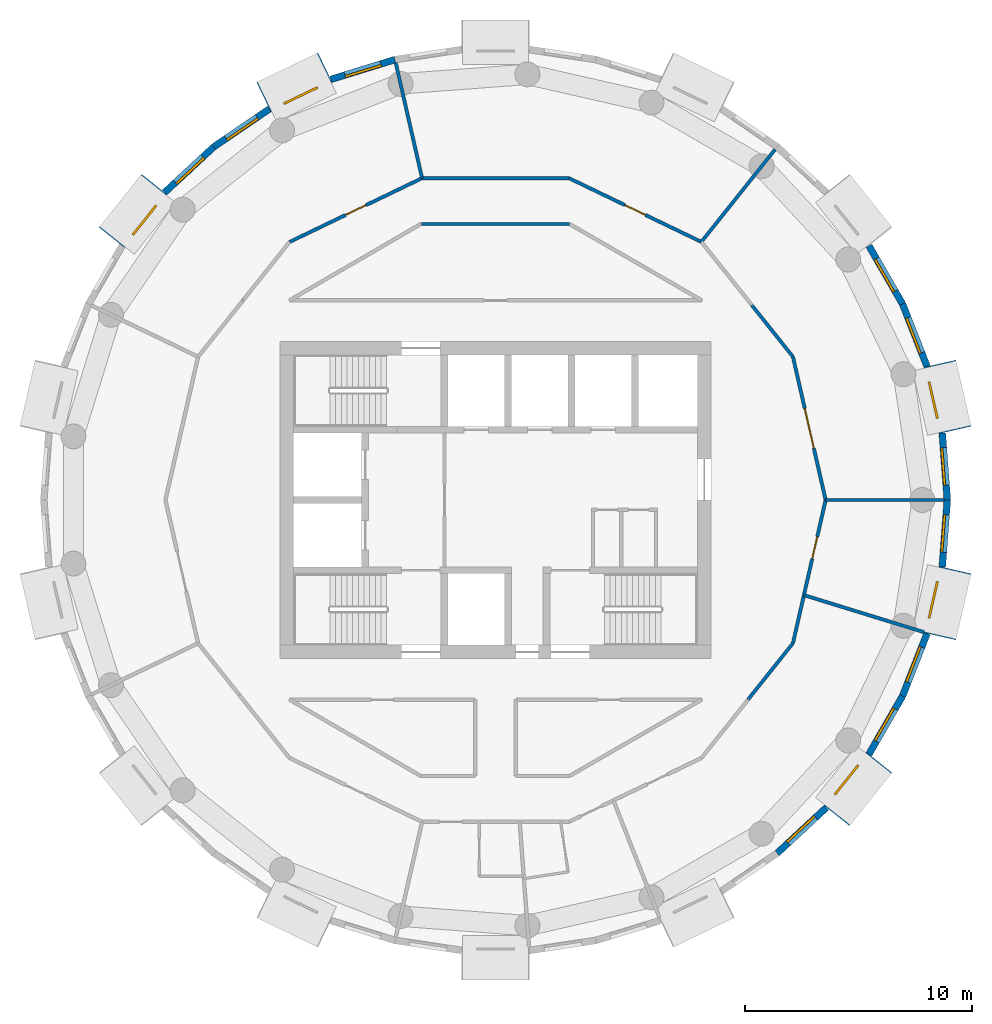
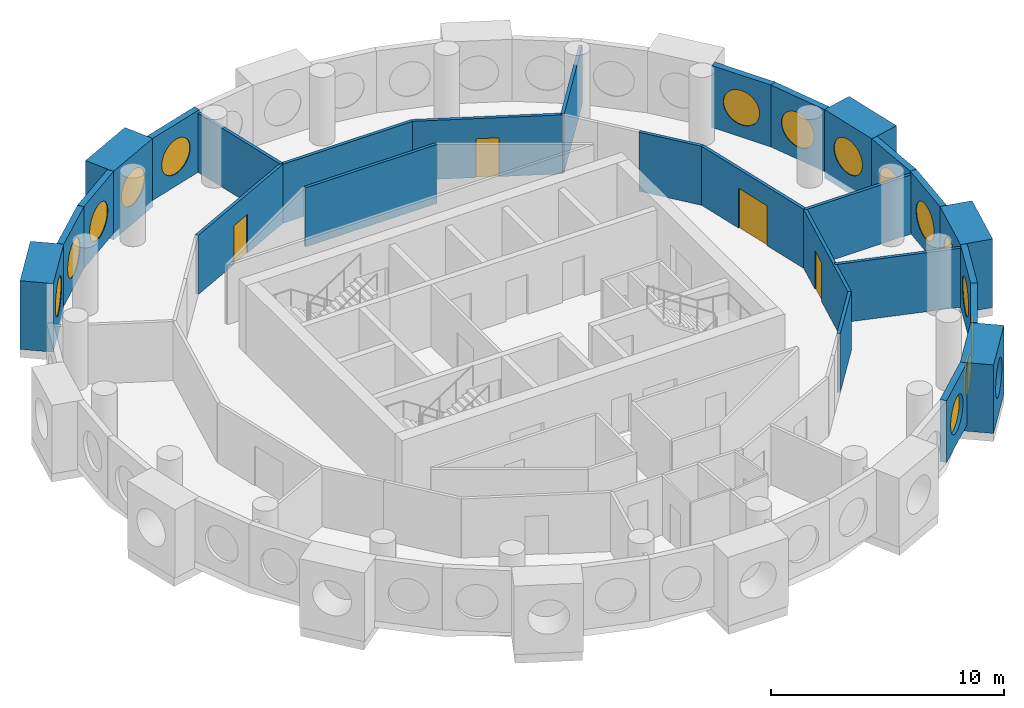
# One storey, part 10 of 13: 27 walls, 15 windows, 4 doors, 19 openings.
"""IFC4 building model written with IfcOpenShell, lengths in metres."""

from ifc_helpers import new_model, si_unit, direction, frame, frame_2d, origin, origin_2d, place, context, subcontext, project, spatial, rectangle, circle, extrude, material, layer, layer_set, type_object, element, fill, save


model = new_model("IFC4")

# Units and contexts
model_context = context("Model", 3, precision=1e-05, world=origin(), true_north=direction((0.0, 1.0)))
body_context = subcontext(model_context, "Body", "Model", "MODEL_VIEW")
ifc_project = project(units=[si_unit("LENGTHUNIT", "METRE"), si_unit("AREAUNIT", "SQUARE_METRE"), si_unit("VOLUMEUNIT", "CUBIC_METRE"), si_unit("PLANEANGLEUNIT", "RADIAN"), si_unit("MASSUNIT", "GRAM", prefix="KILO")], contexts=[model_context])

# Site, building, storey
site_placement = place(None, origin())
site = spatial("IfcSite", under=ifc_project, at=site_placement, CompositionType="ELEMENT")
building_placement = place(site_placement, origin())
building = spatial("IfcBuilding", under=site, at=building_placement, Name="Tracery Tower", CompositionType="ELEMENT")
storey_placement = place(building_placement, frame((0.0, 0.0, 270.60009765625)))
storey = spatial("IfcBuildingStorey", under=building, at=storey_placement, Name="L70", CompositionType="ELEMENT", Elevation=270.60009765625)

# Wall, opening, window
ifc_material_1 = material(Name="Precast concrete C50/60", Category="concrete")
ifc_layer_1 = layer(ifc_material_1, 1.449951171875)
ifc_layer_set_1 = layer_set([ifc_layer_1], Name="Deep-set bay unit 3000 x 3600, slab edge 350")
wall_type_1 = type_object("IfcWallType", Name="Deep-set bay unit 3000 x 3600, slab edge 350", PredefinedType="ELEMENTEDWALL", material=ifc_layer_set_1)
wall_1_placement = place(storey_placement, frame((20.262451171875, 3.086181640625, -0.35009765625), z_axis=(0.0, 0.0, 1.0), x_axis=(-0.222570682856, 0.974916555985, 0.0)))
wall_1 = element("IfcWall", 1, at=wall_1_placement, inside=storey, type_object=wall_type_1, Name="Deep-set bay unit 2 at L70", PredefinedType="ELEMENTEDWALL", context=body_context, shape_type="SweptSolid", body=[
    extrude(rectangle(XDim=3.0, YDim=1.449951171875, at=frame_2d((1.5, 0.0))), origin(), (0.0, 0.0, 1.0), 3.60009765625),
])
opening_1_placement = place(wall_1_placement, frame((1.5, 0.0, 1.89990234375)))
opening_1 = element("IfcOpeningElement", 2, at=opening_1_placement, cuts=wall_1, Name="Opening WN1", PredefinedType="OPENING", context=body_context, shape_type="SweptSolid", body=[
    extrude(circle(Radius=0.9000244140625, at=origin_2d()), frame((0.0, 0.73486328125, 0.0), z_axis=(0.0, -1.0, 0.0), x_axis=(1.0, 0.0, 0.0)), (0.0, 0.0, 1.0), 1.469970703125),
])
ifc_material_2 = material(Name="Aluminium frame with tinted double glazing", Category="aluminium")
window_type = type_object("IfcWindowType", Name="Round window 1800", PartitioningType="SINGLE_PANEL", PredefinedType="WINDOW", material=ifc_material_2)
window_1_placement = place(opening_1_placement, origin())
window_1 = element("IfcWindow", 3, at=window_1_placement, inside=storey, type_object=window_type, Name="Round window 2 at L70", OverallHeight=1.800048828125, OverallWidth=1.800048828125, PartitioningType="SINGLE_PANEL", PredefinedType="WINDOW", context=body_context, shape_type="SweptSolid", body=[
    extrude(circle(Radius=0.9000244140625, at=origin_2d()), frame((0.0, 0.69482421875, 0.0), z_axis=(0.0, -1.0, 0.0), x_axis=(1.0, 0.0, 0.0)), (0.0, 0.0, 1.0), 0.10009765625),
])
fill(opening_1, window_1)

wall_2_placement = place(storey_placement, frame((-7.517578125, 19.067626953125, -0.35009765625), z_axis=(0.0, 0.0, 1.0), x_axis=(-0.900953362039, -0.433915935904, 0.0)))
wall_2 = element("IfcWall", 4, at=wall_2_placement, inside=storey, type_object=wall_type_1, Name="Deep-set bay unit 14 at L70", PredefinedType="ELEMENTEDWALL", context=body_context, shape_type="SweptSolid", body=[
    extrude(rectangle(XDim=3.0, YDim=1.449951171875, at=frame_2d((1.5, 0.0))), origin(), (0.0, 0.0, 1.0), 3.60009765625),
])
opening_2_placement = place(wall_2_placement, frame((1.5, 0.0, 1.89990234375)))
opening_2 = element("IfcOpeningElement", 5, at=opening_2_placement, cuts=wall_2, Name="Opening WN1", PredefinedType="OPENING", context=body_context, shape_type="SweptSolid", body=[
    extrude(circle(Radius=0.9000244140625, at=origin_2d()), frame((0.0, 0.73486328125, 0.0), z_axis=(0.0, -1.0, 0.0), x_axis=(1.0, 0.0, 0.0)), (0.0, 0.0, 1.0), 1.469970703125),
])
window_2_placement = place(opening_2_placement, origin())
window_2 = element("IfcWindow", 6, at=window_2_placement, inside=storey, type_object=window_type, Name="Round window 14 at L70", OverallHeight=1.800048828125, OverallWidth=1.800048828125, PartitioningType="SINGLE_PANEL", PredefinedType="WINDOW", context=body_context, shape_type="SweptSolid", body=[
    extrude(circle(Radius=0.9000244140625, at=origin_2d()), frame((0.0, 0.69482421875, 0.0), z_axis=(0.0, -1.0, 0.0), x_axis=(1.0, 0.0, 0.0)), (0.0, 0.0, 1.0), 0.10009765625),
])
fill(opening_2, window_2)

wall_3_placement = place(storey_placement, frame((-15.046142578125, 13.91748046875, -0.35009765625), z_axis=(0.0, 0.0, 1.0), x_axis=(-0.623523286312, -0.781804778335, 0.0)))
wall_3 = element("IfcWall", 7, at=wall_3_placement, inside=storey, type_object=wall_type_1, Name="Deep-set bay unit 17 at L70", PredefinedType="ELEMENTEDWALL", context=body_context, shape_type="SweptSolid", body=[
    extrude(rectangle(XDim=3.0, YDim=1.449951171875, at=frame_2d((1.5, 0.0))), origin(), (0.0, 0.0, 1.0), 3.60009765625),
])
opening_3_placement = place(wall_3_placement, frame((1.5, 0.0, 1.89990234375)))
opening_3 = element("IfcOpeningElement", 8, at=opening_3_placement, cuts=wall_3, Name="Opening WN1", PredefinedType="OPENING", context=body_context, shape_type="SweptSolid", body=[
    extrude(circle(Radius=0.9000244140625, at=origin_2d()), frame((0.0, 0.73486328125, 0.0), z_axis=(0.0, -1.0, 0.0), x_axis=(1.0, 0.0, 0.0)), (0.0, 0.0, 1.0), 1.469970703125),
])
window_3_placement = place(opening_3_placement, origin())
window_3 = element("IfcWindow", 9, at=window_3_placement, inside=storey, type_object=window_type, Name="Round window 17 at L70", OverallHeight=1.800048828125, OverallWidth=1.800048828125, PartitioningType="SINGLE_PANEL", PredefinedType="WINDOW", context=body_context, shape_type="SweptSolid", body=[
    extrude(circle(Radius=0.9000244140625, at=origin_2d()), frame((0.0, 0.69482421875, 0.0), z_axis=(0.0, -1.0, 0.0), x_axis=(1.0, 0.0, 0.0)), (0.0, 0.0, 1.0), 0.10009765625),
])
fill(opening_3, window_3)

wall_4_placement = place(storey_placement, frame((15.046142578125, -13.91748046875, -0.35009765625), z_axis=(0.0, 0.0, 1.0), x_axis=(0.623523286312, 0.781804778335, 0.0)))
wall_4 = element("IfcWall", 10, at=wall_4_placement, inside=storey, type_object=wall_type_1, Name="Deep-set bay unit 38 at L70", PredefinedType="ELEMENTEDWALL", context=body_context, shape_type="SweptSolid", body=[
    extrude(rectangle(XDim=3.0, YDim=1.449951171875, at=frame_2d((1.5, 0.0))), origin(), (0.0, 0.0, 1.0), 3.60009765625),
])
opening_4_placement = place(wall_4_placement, frame((1.5, 0.0, 1.89990234375)))
opening_4 = element("IfcOpeningElement", 11, at=opening_4_placement, cuts=wall_4, Name="Opening WN1", PredefinedType="OPENING", context=body_context, shape_type="SweptSolid", body=[
    extrude(circle(Radius=0.9000244140625, at=origin_2d()), frame((0.0, 0.73486328125, 0.0), z_axis=(0.0, -1.0, 0.0), x_axis=(1.0, 0.0, 0.0)), (0.0, 0.0, 1.0), 1.469970703125),
])
window_4_placement = place(opening_4_placement, origin())
window_4 = element("IfcWindow", 12, at=window_4_placement, inside=storey, type_object=window_type, Name="Round window 38 at L70", OverallHeight=1.800048828125, OverallWidth=1.800048828125, PartitioningType="SINGLE_PANEL", PredefinedType="WINDOW", context=body_context, shape_type="SweptSolid", body=[
    extrude(circle(Radius=0.9000244140625, at=origin_2d()), frame((0.0, 0.69482421875, 0.0), z_axis=(0.0, -1.0, 0.0), x_axis=(1.0, 0.0, 0.0)), (0.0, 0.0, 1.0), 0.10009765625),
])
fill(opening_4, window_4)

wall_5_placement = place(storey_placement, frame((19.5947265625, -6.010986328125, -0.35009765625), z_axis=(0.0, 0.0, 1.0), x_axis=(0.222570682856, 0.974916555985, 0.0)))
wall_5 = element("IfcWall", 13, at=wall_5_placement, inside=storey, type_object=wall_type_1, Name="Deep-set bay unit 41 at L70", PredefinedType="ELEMENTEDWALL", context=body_context, shape_type="SweptSolid", body=[
    extrude(rectangle(XDim=3.0, YDim=1.449951171875, at=frame_2d((1.5, 0.0))), origin(), (0.0, 0.0, 1.0), 3.60009765625),
])
opening_5_placement = place(wall_5_placement, frame((1.5, 0.0, 1.89990234375)))
opening_5 = element("IfcOpeningElement", 14, at=opening_5_placement, cuts=wall_5, Name="Opening WN1", PredefinedType="OPENING", context=body_context, shape_type="SweptSolid", body=[
    extrude(circle(Radius=0.9000244140625, at=origin_2d()), frame((0.0, 0.73486328125, 0.0), z_axis=(0.0, -1.0, 0.0), x_axis=(1.0, 0.0, 0.0)), (0.0, 0.0, 1.0), 1.469970703125),
])
window_5_placement = place(opening_5_placement, origin())
window_5 = element("IfcWindow", 15, at=window_5_placement, inside=storey, type_object=window_type, Name="Round window 41 at L70", OverallHeight=1.800048828125, OverallWidth=1.800048828125, PartitioningType="SINGLE_PANEL", PredefinedType="WINDOW", context=body_context, shape_type="SweptSolid", body=[
    extrude(circle(Radius=0.9000244140625, at=origin_2d()), frame((0.0, 0.69482421875, 0.0), z_axis=(0.0, -1.0, 0.0), x_axis=(1.0, 0.0, 0.0)), (0.0, 0.0, 1.0), 0.10009765625),
])
fill(opening_5, window_5)

ifc_material_3 = material(Name="Precast concrete C50/60", Category="concrete")
ifc_layer_2 = layer(ifc_material_3, 0.300048828125)
ifc_layer_set_2 = layer_set([ifc_layer_2], Name="Facade panel 3000 x 3250")
wall_type_2 = type_object("IfcWallType", Name="Facade panel 3000 x 3250", PredefinedType="SOLIDWALL", material=ifc_layer_set_2)
wall_6_placement = place(storey_placement, frame((19.921875, 0.0, 0.0), z_axis=(0.0, 0.0, 1.0), x_axis=(-0.074755115547, 0.997201921729, 0.0)))
wall_6 = element("IfcWall", 16, at=wall_6_placement, inside=storey, type_object=wall_type_2, Name="Facade panel 1 at L70", PredefinedType="SOLIDWALL", context=body_context, shape_type="SweptSolid", body=[
    extrude(rectangle(XDim=2.962158203125, YDim=0.300048828125, at=frame_2d((1.48095703125, 0.0))), origin(), (0.0, 0.0, 1.0), 3.25),
])
opening_6_placement = place(wall_6_placement, frame((1.48095703125, 0.0, 1.5498046875)))
opening_6 = element("IfcOpeningElement", 17, at=opening_6_placement, cuts=wall_6, Name="Opening WN1", PredefinedType="OPENING", context=body_context, shape_type="SweptSolid", body=[
    extrude(circle(Radius=0.9000244140625, at=origin_2d()), frame((0.0, 0.159912109375, 0.0), z_axis=(0.0, -1.0, 0.0), x_axis=(1.0, 0.0, 0.0)), (0.0, 0.0, 1.0), 0.320068359375),
])
window_6_placement = place(opening_6_placement, origin())
window_6 = element("IfcWindow", 18, at=window_6_placement, inside=storey, type_object=window_type, Name="Round window 1 at L70", OverallHeight=1.800048828125, OverallWidth=1.800048828125, PartitioningType="SINGLE_PANEL", PredefinedType="WINDOW", context=body_context, shape_type="SweptSolid", body=[
    extrude(circle(Radius=0.9000244140625, at=origin_2d()), frame((0.0, 0.1201171875, 0.0), z_axis=(0.0, -1.0, 0.0), x_axis=(1.0, 0.0, 0.0)), (0.0, 0.0, 1.0), 0.10009765625),
])
fill(opening_6, window_6)

wall_7_placement = place(storey_placement, frame((19.03125, 5.88623046875, 0.0), z_axis=(0.0, 0.0, 1.0), x_axis=(-0.365343821297, 0.930872650925, 0.0)))
wall_7 = element("IfcWall", 19, at=wall_7_placement, inside=storey, type_object=wall_type_2, Name="Facade panel 3 at L70", PredefinedType="SOLIDWALL", context=body_context, shape_type="SweptSolid", body=[
    extrude(rectangle(XDim=2.96240234375, YDim=0.300048828125, at=frame_2d((1.481201171875, 0.0))), origin(), (0.0, 0.0, 1.0), 3.25),
])
opening_7_placement = place(wall_7_placement, frame((1.48095703125, 0.0, 1.5498046875)))
opening_7 = element("IfcOpeningElement", 20, at=opening_7_placement, cuts=wall_7, Name="Opening WN1", PredefinedType="OPENING", context=body_context, shape_type="SweptSolid", body=[
    extrude(circle(Radius=0.9000244140625, at=origin_2d()), frame((0.0, 0.159912109375, 0.0), z_axis=(0.0, -1.0, 0.0), x_axis=(1.0, 0.0, 0.0)), (0.0, 0.0, 1.0), 0.320068359375),
])
window_7_placement = place(opening_7_placement, origin())
window_7 = element("IfcWindow", 21, at=window_7_placement, inside=storey, type_object=window_type, Name="Round window 3 at L70", OverallHeight=1.800048828125, OverallWidth=1.800048828125, PartitioningType="SINGLE_PANEL", PredefinedType="WINDOW", context=body_context, shape_type="SweptSolid", body=[
    extrude(circle(Radius=0.9000244140625, at=origin_2d()), frame((0.0, 0.1201171875, 0.0), z_axis=(0.0, -1.0, 0.0), x_axis=(1.0, 0.0, 0.0)), (0.0, 0.0, 1.0), 0.10009765625),
])
fill(opening_7, window_7)

wall_8_placement = place(storey_placement, frame((17.948974609375, 8.643798828125, 0.0), z_axis=(0.0, 0.0, 1.0), x_axis=(-0.500012570604, 0.866018146021, 0.0)))
wall_8 = element("IfcWall", 22, at=wall_8_placement, inside=storey, type_object=wall_type_2, Name="Facade panel 4 at L70", PredefinedType="SOLIDWALL", context=body_context, shape_type="SweptSolid", body=[
    extrude(rectangle(XDim=2.96240234375, YDim=0.300048828125, at=frame_2d((1.481201171875, 0.0))), origin(), (0.0, 0.0, 1.0), 3.25),
])
opening_8_placement = place(wall_8_placement, frame((1.48095703125, 0.0, 1.5498046875)))
opening_8 = element("IfcOpeningElement", 23, at=opening_8_placement, cuts=wall_8, Name="Opening WN1", PredefinedType="OPENING", context=body_context, shape_type="SweptSolid", body=[
    extrude(circle(Radius=0.9000244140625, at=origin_2d()), frame((0.0, 0.159912109375, 0.0), z_axis=(0.0, -1.0, 0.0), x_axis=(1.0, 0.0, 0.0)), (0.0, 0.0, 1.0), 0.320068359375),
])
window_8_placement = place(opening_8_placement, origin())
window_8 = element("IfcWindow", 24, at=window_8_placement, inside=storey, type_object=window_type, Name="Round window 4 at L70", OverallHeight=1.800048828125, OverallWidth=1.800048828125, PartitioningType="SINGLE_PANEL", PredefinedType="WINDOW", context=body_context, shape_type="SweptSolid", body=[
    extrude(circle(Radius=0.9000244140625, at=origin_2d()), frame((0.0, 0.1201171875, 0.0), z_axis=(0.0, -1.0, 0.0), x_axis=(1.0, 0.0, 0.0)), (0.0, 0.0, 1.0), 0.10009765625),
])
fill(opening_8, window_8)

wall_9_placement = place(storey_placement, frame((-4.43310546875, 19.42236328125, 0.0), z_axis=(0.0, 0.0, 1.0), x_axis=(-0.955555982805, -0.29480970765, 0.0)))
wall_9 = element("IfcWall", 25, at=wall_9_placement, inside=storey, type_object=wall_type_2, Name="Facade panel 13 at L70", PredefinedType="SOLIDWALL", context=body_context, shape_type="SweptSolid", body=[
    extrude(rectangle(XDim=2.962158203125, YDim=0.300048828125, at=frame_2d((1.48095703125, 0.0))), origin(), (0.0, 0.0, 1.0), 3.25),
])
opening_9_placement = place(wall_9_placement, frame((1.48095703125, 0.0, 1.5498046875)))
opening_9 = element("IfcOpeningElement", 26, at=opening_9_placement, cuts=wall_9, Name="Opening WN1", PredefinedType="OPENING", context=body_context, shape_type="SweptSolid", body=[
    extrude(circle(Radius=0.9000244140625, at=origin_2d()), frame((0.0, 0.159912109375, 0.0), z_axis=(0.0, -1.0, 0.0), x_axis=(1.0, 0.0, 0.0)), (0.0, 0.0, 1.0), 0.320068359375),
])
window_9_placement = place(opening_9_placement, origin())
window_9 = element("IfcWindow", 27, at=window_9_placement, inside=storey, type_object=window_type, Name="Round window 13 at L70", OverallHeight=1.800048828125, OverallWidth=1.800048828125, PartitioningType="SINGLE_PANEL", PredefinedType="WINDOW", context=body_context, shape_type="SweptSolid", body=[
    extrude(circle(Radius=0.9000244140625, at=origin_2d()), frame((0.0, 0.1201171875, 0.0), z_axis=(0.0, -1.0, 0.0), x_axis=(1.0, 0.0, 0.0)), (0.0, 0.0, 1.0), 0.10009765625),
])
fill(opening_9, window_9)

wall_10_placement = place(storey_placement, frame((-9.9736328125, 17.244140625, 0.0), z_axis=(0.0, 0.0, 1.0), x_axis=(-0.826236061068, -0.563324037646, 0.0)))
wall_10 = element("IfcWall", 28, at=wall_10_placement, inside=storey, type_object=wall_type_2, Name="Facade panel 15 at L70", PredefinedType="SOLIDWALL", context=body_context, shape_type="SweptSolid", body=[
    extrude(rectangle(XDim=2.962158203125, YDim=0.300048828125, at=frame_2d((1.48095703125, 0.0))), origin(), (0.0, 0.0, 1.0), 3.25),
])
opening_10_placement = place(wall_10_placement, frame((1.48095703125, 0.0, 1.5498046875)))
opening_10 = element("IfcOpeningElement", 29, at=opening_10_placement, cuts=wall_10, Name="Opening WN1", PredefinedType="OPENING", context=body_context, shape_type="SweptSolid", body=[
    extrude(circle(Radius=0.9000244140625, at=origin_2d()), frame((0.0, 0.159912109375, 0.0), z_axis=(0.0, -1.0, 0.0), x_axis=(1.0, 0.0, 0.0)), (0.0, 0.0, 1.0), 0.320068359375),
])
window_10_placement = place(opening_10_placement, origin())
window_10 = element("IfcWindow", 30, at=window_10_placement, inside=storey, type_object=window_type, Name="Round window 15 at L70", OverallHeight=1.800048828125, OverallWidth=1.800048828125, PartitioningType="SINGLE_PANEL", PredefinedType="WINDOW", context=body_context, shape_type="SweptSolid", body=[
    extrude(circle(Radius=0.9000244140625, at=origin_2d()), frame((0.0, 0.1201171875, 0.0), z_axis=(0.0, -1.0, 0.0), x_axis=(1.0, 0.0, 0.0)), (0.0, 0.0, 1.0), 0.10009765625),
])
fill(opening_10, window_10)

wall_11_placement = place(storey_placement, frame((-12.421142578125, 15.575439453125, 0.0), z_axis=(0.0, 0.0, 1.0), x_axis=(-0.733028283666, -0.680198158882, 0.0)))
wall_11 = element("IfcWall", 31, at=wall_11_placement, inside=storey, type_object=wall_type_2, Name="Facade panel 16 at L70", PredefinedType="SOLIDWALL", context=body_context, shape_type="SweptSolid", body=[
    extrude(rectangle(XDim=2.962158203125, YDim=0.300048828125, at=frame_2d((1.48095703125, 0.0))), origin(), (0.0, 0.0, 1.0), 3.25),
])
opening_11_placement = place(wall_11_placement, frame((1.48095703125, 0.0, 1.5498046875)))
opening_11 = element("IfcOpeningElement", 32, at=opening_11_placement, cuts=wall_11, Name="Opening WN1", PredefinedType="OPENING", context=body_context, shape_type="SweptSolid", body=[
    extrude(circle(Radius=0.9000244140625, at=origin_2d()), frame((0.0, 0.159912109375, 0.0), z_axis=(0.0, -1.0, 0.0), x_axis=(1.0, 0.0, 0.0)), (0.0, 0.0, 1.0), 0.320068359375),
])
window_11_placement = place(opening_11_placement, origin())
window_11 = element("IfcWindow", 33, at=window_11_placement, inside=storey, type_object=window_type, Name="Round window 16 at L70", OverallHeight=1.800048828125, OverallWidth=1.800048828125, PartitioningType="SINGLE_PANEL", PredefinedType="WINDOW", context=body_context, shape_type="SweptSolid", body=[
    extrude(circle(Radius=0.9000244140625, at=origin_2d()), frame((0.0, 0.1201171875, 0.0), z_axis=(0.0, -1.0, 0.0), x_axis=(1.0, 0.0, 0.0)), (0.0, 0.0, 1.0), 0.10009765625),
])
fill(opening_11, window_11)

wall_12_placement = place(storey_placement, frame((12.421142578125, -15.575439453125, 0.0), z_axis=(0.0, 0.0, 1.0), x_axis=(0.733028283666, 0.680198158882, 0.0)))
wall_12 = element("IfcWall", 34, at=wall_12_placement, inside=storey, type_object=wall_type_2, Name="Facade panel 37 at L70", PredefinedType="SOLIDWALL", context=body_context, shape_type="SweptSolid", body=[
    extrude(rectangle(XDim=2.962158203125, YDim=0.300048828125, at=frame_2d((1.48095703125, 0.0))), origin(), (0.0, 0.0, 1.0), 3.25),
])
opening_12_placement = place(wall_12_placement, frame((1.48095703125, 0.0, 1.5498046875)))
opening_12 = element("IfcOpeningElement", 35, at=opening_12_placement, cuts=wall_12, Name="Opening WN1", PredefinedType="OPENING", context=body_context, shape_type="SweptSolid", body=[
    extrude(circle(Radius=0.9000244140625, at=origin_2d()), frame((0.0, 0.159912109375, 0.0), z_axis=(0.0, -1.0, 0.0), x_axis=(1.0, 0.0, 0.0)), (0.0, 0.0, 1.0), 0.320068359375),
])
window_12_placement = place(opening_12_placement, origin())
window_12 = element("IfcWindow", 36, at=window_12_placement, inside=storey, type_object=window_type, Name="Round window 37 at L70", OverallHeight=1.800048828125, OverallWidth=1.800048828125, PartitioningType="SINGLE_PANEL", PredefinedType="WINDOW", context=body_context, shape_type="SweptSolid", body=[
    extrude(circle(Radius=0.9000244140625, at=origin_2d()), frame((0.0, 0.1201171875, 0.0), z_axis=(0.0, -1.0, 0.0), x_axis=(1.0, 0.0, 0.0)), (0.0, 0.0, 1.0), 0.10009765625),
])
fill(opening_12, window_12)

wall_13_placement = place(storey_placement, frame((16.4677734375, -11.209228515625, 0.0), z_axis=(0.0, 0.0, 1.0), x_axis=(0.500012570604, 0.866018146021, 0.0)))
wall_13 = element("IfcWall", 37, at=wall_13_placement, inside=storey, type_object=wall_type_2, Name="Facade panel 39 at L70", PredefinedType="SOLIDWALL", context=body_context, shape_type="SweptSolid", body=[
    extrude(rectangle(XDim=2.96240234375, YDim=0.300048828125, at=frame_2d((1.481201171875, 0.0))), origin(), (0.0, 0.0, 1.0), 3.25),
])
opening_13_placement = place(wall_13_placement, frame((1.48095703125, 0.0, 1.5498046875)))
opening_13 = element("IfcOpeningElement", 38, at=opening_13_placement, cuts=wall_13, Name="Opening WN1", PredefinedType="OPENING", context=body_context, shape_type="SweptSolid", body=[
    extrude(circle(Radius=0.9000244140625, at=origin_2d()), frame((0.0, 0.159912109375, 0.0), z_axis=(0.0, -1.0, 0.0), x_axis=(1.0, 0.0, 0.0)), (0.0, 0.0, 1.0), 0.320068359375),
])
window_13_placement = place(opening_13_placement, origin())
window_13 = element("IfcWindow", 39, at=window_13_placement, inside=storey, type_object=window_type, Name="Round window 39 at L70", OverallHeight=1.800048828125, OverallWidth=1.800048828125, PartitioningType="SINGLE_PANEL", PredefinedType="WINDOW", context=body_context, shape_type="SweptSolid", body=[
    extrude(circle(Radius=0.9000244140625, at=origin_2d()), frame((0.0, 0.1201171875, 0.0), z_axis=(0.0, -1.0, 0.0), x_axis=(1.0, 0.0, 0.0)), (0.0, 0.0, 1.0), 0.10009765625),
])
fill(opening_13, window_13)

wall_14_placement = place(storey_placement, frame((17.948974609375, -8.643798828125, 0.0), z_axis=(0.0, 0.0, 1.0), x_axis=(0.365343821297, 0.930872650925, 0.0)))
wall_14 = element("IfcWall", 40, at=wall_14_placement, inside=storey, type_object=wall_type_2, Name="Facade panel 40 at L70", PredefinedType="SOLIDWALL", context=body_context, shape_type="SweptSolid", body=[
    extrude(rectangle(XDim=2.96240234375, YDim=0.300048828125, at=frame_2d((1.481201171875, 0.0))), origin(), (0.0, 0.0, 1.0), 3.25),
])
opening_14_placement = place(wall_14_placement, frame((1.48095703125, 0.0, 1.5498046875)))
opening_14 = element("IfcOpeningElement", 41, at=opening_14_placement, cuts=wall_14, Name="Opening WN1", PredefinedType="OPENING", context=body_context, shape_type="SweptSolid", body=[
    extrude(circle(Radius=0.9000244140625, at=origin_2d()), frame((0.0, 0.159912109375, 0.0), z_axis=(0.0, -1.0, 0.0), x_axis=(1.0, 0.0, 0.0)), (0.0, 0.0, 1.0), 0.320068359375),
])
window_14_placement = place(opening_14_placement, origin())
window_14 = element("IfcWindow", 42, at=window_14_placement, inside=storey, type_object=window_type, Name="Round window 40 at L70", OverallHeight=1.800048828125, OverallWidth=1.800048828125, PartitioningType="SINGLE_PANEL", PredefinedType="WINDOW", context=body_context, shape_type="SweptSolid", body=[
    extrude(circle(Radius=0.9000244140625, at=origin_2d()), frame((0.0, 0.1201171875, 0.0), z_axis=(0.0, -1.0, 0.0), x_axis=(1.0, 0.0, 0.0)), (0.0, 0.0, 1.0), 0.10009765625),
])
fill(opening_14, window_14)

wall_15_placement = place(storey_placement, frame((19.700439453125, -2.953857421875, 0.0), z_axis=(0.0, 0.0, 1.0), x_axis=(0.074755115547, 0.997201921729, 0.0)))
wall_15 = element("IfcWall", 43, at=wall_15_placement, inside=storey, type_object=wall_type_2, Name="Facade panel 42 at L70", PredefinedType="SOLIDWALL", context=body_context, shape_type="SweptSolid", body=[
    extrude(rectangle(XDim=2.962158203125, YDim=0.300048828125, at=frame_2d((1.48095703125, 0.0))), origin(), (0.0, 0.0, 1.0), 3.25),
])
opening_15_placement = place(wall_15_placement, frame((1.48095703125, 0.0, 1.5498046875)))
opening_15 = element("IfcOpeningElement", 44, at=opening_15_placement, cuts=wall_15, Name="Opening WN1", PredefinedType="OPENING", context=body_context, shape_type="SweptSolid", body=[
    extrude(circle(Radius=0.9000244140625, at=origin_2d()), frame((0.0, 0.159912109375, 0.0), z_axis=(0.0, -1.0, 0.0), x_axis=(1.0, 0.0, 0.0)), (0.0, 0.0, 1.0), 0.320068359375),
])
window_15_placement = place(opening_15_placement, origin())
window_15 = element("IfcWindow", 45, at=window_15_placement, inside=storey, type_object=window_type, Name="Round window 42 at L70", OverallHeight=1.800048828125, OverallWidth=1.800048828125, PartitioningType="SINGLE_PANEL", PredefinedType="WINDOW", context=body_context, shape_type="SweptSolid", body=[
    extrude(circle(Radius=0.9000244140625, at=origin_2d()), frame((0.0, 0.1201171875, 0.0), z_axis=(0.0, -1.0, 0.0), x_axis=(1.0, 0.0, 0.0)), (0.0, 0.0, 1.0), 0.10009765625),
])
fill(opening_15, window_15)

# Walls
ifc_material_4 = material(Name="Plasterboard on steel studs", Category="steel")
ifc_layer_3 = layer(ifc_material_4, 0.14990234375)
ifc_layer_set_3 = layer_set([ifc_layer_3], Name="Partition 150 acoustic unit wall")
wall_type_3 = type_object("IfcWallType", Name="Partition 150 acoustic unit wall", PredefinedType="PARTITIONING", material=ifc_layer_set_3)
wall_16_placement = place(storey_placement, frame((9.075927734375, 11.381103515625, 0.0), z_axis=(0.0, 0.0, 1.0), x_axis=(0.623460949534, 0.781854490558, 0.0)))
element("IfcWall", 46, at=wall_16_placement, inside=storey, type_object=wall_type_3, Name="Unit wall RC5-043", PredefinedType="PARTITIONING", context=body_context, shape_type="SweptSolid", body=[
    extrude(rectangle(XDim=5.21435546875, YDim=0.14990234375, at=frame_2d((2.607177734375, 0.0))), origin(), (0.0, 0.0, 1.0), 3.099853515625),
])
wall_17_placement = place(storey_placement, frame((14.556884765625, 0.0, 0.0), z_axis=(0.0, 0.0, 1.0), x_axis=(1.0, 0.0, 0.0)))
element("IfcWall", 47, at=wall_17_placement, inside=storey, type_object=wall_type_3, Name="Unit wall RC5-044", PredefinedType="PARTITIONING", context=body_context, shape_type="SweptSolid", body=[
    extrude(rectangle(XDim=5.214111328125, YDim=0.14990234375, at=frame_2d((2.60693359375, 0.0))), origin(), (0.0, 0.0, 1.0), 3.099853515625),
])
wall_18_placement = place(storey_placement, frame((-4.39990234375, 19.27587890625, 0.0), z_axis=(0.0, 0.0, 1.0), x_axis=(0.222612505682, -0.974907007008, 0.0)))
element("IfcWall", 48, at=wall_18_placement, inside=storey, type_object=wall_type_3, Name="Unit wall RC5-045", PredefinedType="PARTITIONING", context=body_context, shape_type="SweptSolid", body=[
    extrude(rectangle(XDim=5.21484375, YDim=0.14990234375, at=frame_2d((2.607421875, 0.0))), origin(), (0.0, 0.0, 1.0), 3.099853515625),
])
wall_19_placement = place(storey_placement, frame((13.59912109375, -4.195068359375, 0.0), z_axis=(0.0, 0.0, 1.0), x_axis=(0.955580602693, -0.294729896274, 0.0)))
element("IfcWall", 49, at=wall_19_placement, inside=storey, type_object=wall_type_3, Name="Unit wall RC5-056", PredefinedType="PARTITIONING", context=body_context, shape_type="SweptSolid", body=[
    extrude(rectangle(XDim=5.5400390625, YDim=0.14990234375, at=frame_2d((2.77001953125, 0.0))), origin(), (0.0, 0.0, 1.0), 3.099853515625),
])
ifc_material_5 = material(Name="Plasterboard on steel studs", Category="steel")
ifc_layer_4 = layer(ifc_material_5, 0.14990234375)
ifc_layer_set_4 = layer_set([ifc_layer_4], Name="Partition 150 corridor wall")
wall_type_4 = type_object("IfcWallType", Name="Partition 150 corridor wall", PredefinedType="PARTITIONING", material=ifc_layer_set_4)
wall_20_placement = place(storey_placement, frame((11.300048828125, 8.592041015625, 0.0), z_axis=(0.0, 0.0, 1.0), x_axis=(0.623446514299, -0.781866001185, 0.0)))
element("IfcWall", 50, at=wall_20_placement, inside=storey, type_object=wall_type_4, Name="Corridor wall RC5-020", PredefinedType="PARTITIONING", context=body_context, shape_type="SweptSolid", body=[
    extrude(rectangle(XDim=2.9111328125, YDim=0.14990234375, at=frame_2d((1.45556640625, 0.0))), origin(), (0.0, 0.0, 1.0), 3.099853515625),
])

# Wall, opening, door
wall_21_placement = place(storey_placement, frame((13.114990234375, 6.31591796875, 0.0), z_axis=(0.0, 0.0, 1.0), x_axis=(0.222568978642, -0.97491694505, 0.0)))
wall_21 = element("IfcWall", 51, at=wall_21_placement, inside=storey, type_object=wall_type_4, Name="Corridor wall RC5-021", PredefinedType="PARTITIONING", context=body_context, shape_type="SweptSolid", body=[
    extrude(rectangle(XDim=6.478515625, YDim=0.14990234375, at=frame_2d((3.2392578125, 0.0))), origin(), (0.0, 0.0, 1.0), 3.099853515625),
])
opening_16_placement = place(wall_21_placement, frame((2.339111328125, 0.0, 0.0)))
opening_16 = element("IfcOpeningElement", 52, at=opening_16_placement, cuts=wall_21, Name="Opening RC5-04", PredefinedType="OPENING", context=body_context, shape_type="SweptSolid", body=[
    extrude(rectangle(XDim=1.800048828125, YDim=2.10009765625, at=frame_2d((0.89990234375, 1.050048828125))), frame((0.0, 0.074951171875, 0.0), z_axis=(0.0, -1.0, 0.0), x_axis=(1.0, 0.0, 0.0)), (0.0, 0.0, 1.0), 0.14990234375),
])
ifc_material_6 = material(Name="Timber door leaf", Category="wood")
door_type_1 = type_object("IfcDoorType", Name="Door double lounge 1800", OperationType="NOTDEFINED", PredefinedType="DOOR", material=ifc_material_6)
door_1_placement = place(opening_16_placement, origin())
door_1 = element("IfcDoor", 53, at=door_1_placement, inside=storey, type_object=door_type_1, Name="Double lounge door RC5-04", OperationType="DOUBLE_DOOR_SINGLE_SWING", OverallHeight=2.10009765625, OverallWidth=1.800048828125, PredefinedType="DOOR", context=body_context, shape_type="SweptSolid", body=[
    extrude(rectangle(XDim=1.800048828125, YDim=2.10009765625, at=frame_2d((0.89990234375, 1.050048828125))), frame((0.0, 0.02490234375, 0.0), z_axis=(0.0, -1.0, 0.0), x_axis=(1.0, 0.0, 0.0)), (0.0, 0.0, 1.0), 0.050048828125),
])
fill(opening_16, door_1)

wall_22_placement = place(storey_placement, frame((13.114990234375, -6.31591796875, 0.0), z_axis=(0.0, 0.0, 1.0), x_axis=(0.222533159771, 0.974925121639, 0.0)))
wall_22 = element("IfcWall", 54, at=wall_22_placement, inside=storey, type_object=wall_type_4, Name="Corridor wall RC5-022", PredefinedType="PARTITIONING", context=body_context, shape_type="SweptSolid", body=[
    extrude(rectangle(XDim=6.478271484375, YDim=0.14990234375, at=frame_2d((3.2392578125, 0.0))), origin(), (0.0, 0.0, 1.0), 3.099853515625),
])
opening_17_placement = place(wall_22_placement, frame((3.824462890625, 0.0, 0.0)))
opening_17 = element("IfcOpeningElement", 55, at=opening_17_placement, cuts=wall_22, Name="Opening RC5-14", PredefinedType="OPENING", context=body_context, shape_type="SweptSolid", body=[
    extrude(rectangle(XDim=1.0, YDim=2.0400390625, at=frame_2d((0.5, 1.02001953125))), frame((0.0, 0.074951171875, 0.0), z_axis=(0.0, -1.0, 0.0), x_axis=(1.0, 0.0, 0.0)), (0.0, 0.0, 1.0), 0.14990234375),
])
ifc_material_7 = material(Name="Timber door leaf", Category="wood")
door_type_2 = type_object("IfcDoorType", Name="Door communal room 1000", OperationType="NOTDEFINED", PredefinedType="DOOR", material=ifc_material_7)
door_2_placement = place(opening_17_placement, origin())
door_2 = element("IfcDoor", 56, at=door_2_placement, inside=storey, type_object=door_type_2, Name="Communal room door RC5-14", OperationType="SINGLE_SWING_RIGHT", OverallHeight=2.0400390625, OverallWidth=1.0, PredefinedType="DOOR", context=body_context, shape_type="SweptSolid", body=[
    extrude(rectangle(XDim=1.0, YDim=2.0400390625, at=frame_2d((0.5, 1.02001953125))), frame((0.0, 0.02490234375, 0.0), z_axis=(0.0, -1.0, 0.0), x_axis=(1.0, 0.0, 0.0)), (0.0, 0.0, 1.0), 0.050048828125),
])
fill(opening_17, door_2)

# Walls
wall_23_placement = place(storey_placement, frame((11.134033203125, -8.800048828125, 0.0), z_axis=(0.0, 0.0, 1.0), x_axis=(0.623476099415, 0.781842409606, 0.0)))
element("IfcWall", 57, at=wall_23_placement, inside=storey, type_object=wall_type_4, Name="Corridor wall RC5-023", PredefinedType="PARTITIONING", context=body_context, shape_type="SweptSolid", body=[
    extrude(rectangle(XDim=3.17724609375, YDim=0.14990234375, at=frame_2d((1.588623046875, 0.0))), origin(), (0.0, 0.0, 1.0), 3.099853515625),
])
wall_24_placement = place(storey_placement, frame((-3.260986328125, 12.1708984375, 0.0), z_axis=(0.0, 0.0, 1.0), x_axis=(1.0, 0.0, 0.0)))
element("IfcWall", 58, at=wall_24_placement, inside=storey, type_object=wall_type_4, Name="Corridor wall RC5-025", PredefinedType="PARTITIONING", context=body_context, shape_type="SweptSolid", body=[
    extrude(rectangle(XDim=6.52197265625, YDim=0.14990234375, at=frame_2d((3.260986328125, 0.0))), origin(), (0.0, 0.0, 1.0), 3.099853515625),
])
wall_25_placement = place(storey_placement, frame((-3.239013671875, 14.19189453125, 0.0), z_axis=(0.0, 0.0, 1.0), x_axis=(1.0, 0.0, 0.0)))
element("IfcWall", 59, at=wall_25_placement, inside=storey, type_object=wall_type_4, Name="Corridor wall RC5-027", PredefinedType="PARTITIONING", context=body_context, shape_type="SweptSolid", body=[
    extrude(rectangle(XDim=6.47802734375, YDim=0.14990234375, at=frame_2d((3.239013671875, 0.0))), origin(), (0.0, 0.0, 1.0), 3.099853515625),
])

# Wall, opening, door
wall_26_placement = place(storey_placement, frame((3.239013671875, 14.19189453125, 0.0), z_axis=(0.0, 0.0, 1.0), x_axis=(0.900976027191, -0.433868872388, 0.0)))
wall_26 = element("IfcWall", 60, at=wall_26_placement, inside=storey, type_object=wall_type_4, Name="Corridor wall RC5-028", PredefinedType="PARTITIONING", context=body_context, shape_type="SweptSolid", body=[
    extrude(rectangle(XDim=6.478515625, YDim=0.14990234375, at=frame_2d((3.2392578125, 0.0))), origin(), (0.0, 0.0, 1.0), 3.099853515625),
])
opening_18_placement = place(wall_26_placement, frame((2.739013671875, 0.0, 0.0)))
opening_18 = element("IfcOpeningElement", 61, at=opening_18_placement, cuts=wall_26, Name="Opening RC5-05", PredefinedType="OPENING", context=body_context, shape_type="SweptSolid", body=[
    extrude(rectangle(XDim=1.0, YDim=2.0400390625, at=frame_2d((0.5, 1.02001953125))), frame((0.0, 0.074951171875, 0.0), z_axis=(0.0, -1.0, 0.0), x_axis=(1.0, 0.0, 0.0)), (0.0, 0.0, 1.0), 0.14990234375),
])
door_3_placement = place(opening_18_placement, origin())
door_3 = element("IfcDoor", 62, at=door_3_placement, inside=storey, type_object=door_type_2, Name="Communal room door RC5-05", OperationType="SINGLE_SWING_LEFT", OverallHeight=2.0400390625, OverallWidth=1.0, PredefinedType="DOOR", context=body_context, shape_type="SweptSolid", body=[
    extrude(rectangle(XDim=1.0, YDim=2.0400390625, at=frame_2d((0.5, 1.02001953125))), frame((0.0, 0.02490234375, 0.0), z_axis=(0.0, -1.0, 0.0), x_axis=(1.0, 0.0, 0.0)), (0.0, 0.0, 1.0), 0.050048828125),
])
fill(opening_18, door_3)

wall_27_placement = place(storey_placement, frame((-9.075927734375, 11.381103515625, 0.0), z_axis=(0.0, 0.0, 1.0), x_axis=(0.900976027191, 0.433868872388, 0.0)))
wall_27 = element("IfcWall", 63, at=wall_27_placement, inside=storey, type_object=wall_type_4, Name="Corridor wall RC5-029", PredefinedType="PARTITIONING", context=body_context, shape_type="SweptSolid", body=[
    extrude(rectangle(XDim=6.478515625, YDim=0.14990234375, at=frame_2d((3.2392578125, 0.0))), origin(), (0.0, 0.0, 1.0), 3.099853515625),
])
opening_19_placement = place(wall_27_placement, frame((2.739013671875, 0.0, 0.0)))
opening_19 = element("IfcOpeningElement", 64, at=opening_19_placement, cuts=wall_27, Name="Opening RC5-06", PredefinedType="OPENING", context=body_context, shape_type="SweptSolid", body=[
    extrude(rectangle(XDim=1.0, YDim=2.0400390625, at=frame_2d((0.5, 1.02001953125))), frame((0.0, 0.074951171875, 0.0), z_axis=(0.0, -1.0, 0.0), x_axis=(1.0, 0.0, 0.0)), (0.0, 0.0, 1.0), 0.14990234375),
])
door_4_placement = place(opening_19_placement, origin())
door_4 = element("IfcDoor", 65, at=door_4_placement, inside=storey, type_object=door_type_2, Name="Communal room door RC5-06", OperationType="SINGLE_SWING_LEFT", OverallHeight=2.0400390625, OverallWidth=1.0, PredefinedType="DOOR", context=body_context, shape_type="SweptSolid", body=[
    extrude(rectangle(XDim=1.0, YDim=2.0400390625, at=frame_2d((0.5, 1.02001953125))), frame((0.0, 0.02490234375, 0.0), z_axis=(0.0, -1.0, 0.0), x_axis=(1.0, 0.0, 0.0)), (0.0, 0.0, 1.0), 0.050048828125),
])
fill(opening_19, door_4)

save(model, "model.ifc")
